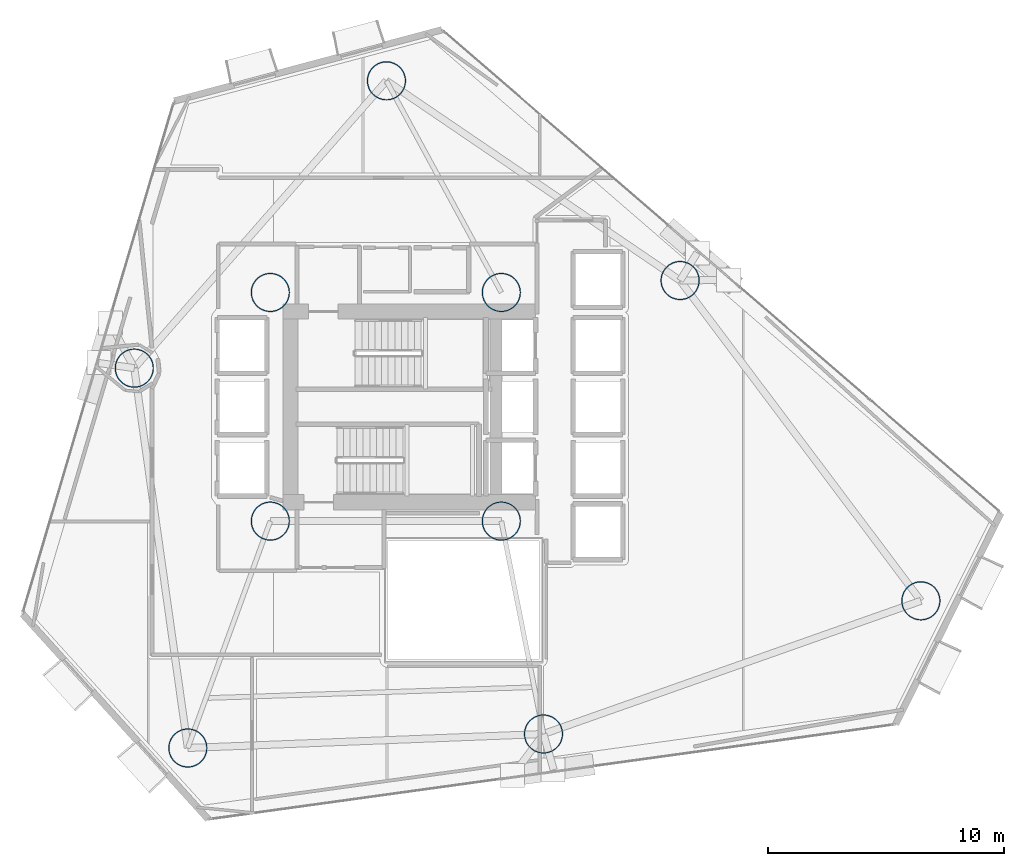
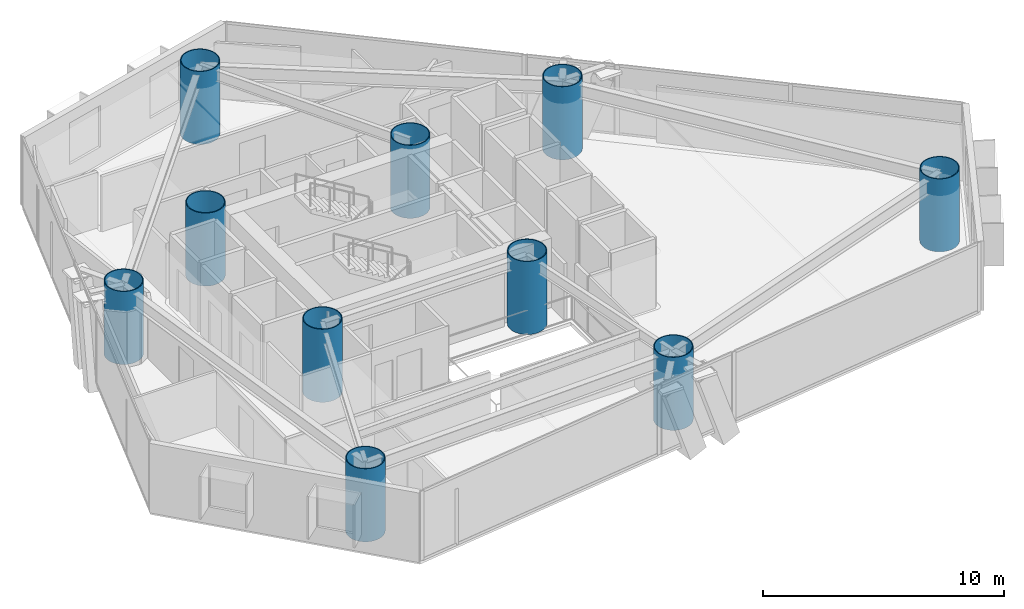
# One storey, part 1 of 23: 10 columns.
"""IFC4 building model written with IfcOpenShell, lengths in metres."""

from ifc_helpers import new_model, si_unit, direction, frame, origin, origin_2d, place, context, subcontext, project, spatial, hollow_circle, extrude, material, material_profile, profile_set, type_object, element, save


model = new_model("IFC4")

# Units and contexts
model_context = context("Model", 3, precision=1e-05, world=origin(), true_north=direction((0.0, 1.0)))
body_context = subcontext(model_context, "Body", "Model", "MODEL_VIEW")
ifc_project = project(units=[si_unit("LENGTHUNIT", "METRE"), si_unit("AREAUNIT", "SQUARE_METRE"), si_unit("VOLUMEUNIT", "CUBIC_METRE"), si_unit("PLANEANGLEUNIT", "RADIAN"), si_unit("MASSUNIT", "GRAM", prefix="KILO")], contexts=[model_context])

# Site, building, storey
site_placement = place(None, origin())
site = spatial("IfcSite", under=ifc_project, at=site_placement, CompositionType="ELEMENT")
building_placement = place(site_placement, origin())
building = spatial("IfcBuilding", under=site, at=building_placement, Name="Qianvela Tower", CompositionType="ELEMENT")
storey_placement = place(building_placement, frame((0.0, 0.0, 74.699951171875)))
storey = spatial("IfcBuildingStorey", under=building, at=storey_placement, Name="L18", CompositionType="ELEMENT", Elevation=74.699951171875)

# Columns
ifc_material = material(Name="Steel Q420GJC", Category="steel")
ifc_material_profile = material_profile(ifc_material, hollow_circle(Radius=0.824951171875, WallThickness=0.0400390625, at=origin_2d()), Name="CFT-1650x40")
ifc_profile_set = profile_set([ifc_material_profile], Name="Steel Q420GJC")
column_type = type_object("IfcColumnType", Name="COL-CFT-1650x40", PredefinedType="COLUMN", material=ifc_profile_set)
for number, where, z_axis, x_axis, name in (
    (1, (28.60009765625, 33.550048828125, 0.0), (0.0, 0.0, 1.0), (1.0, 0.0, 0.0), "L18 Core Corner Mega-Column CC-NW"),
    (2, (28.60009765625, 23.85009765625, 0.0), (0.0, 0.0, 1.0), (1.0, 0.0, 0.0), "L18 Core Corner Mega-Column CC-SW"),
    (3, (38.39990234375, 33.550048828125, 0.0), (0.0, 0.0, 1.0), (1.0, 0.0, 0.0), "L18 Core Corner Mega-Column CC-NE"),
    (4, (38.39990234375, 23.85009765625, 0.0), (0.0, 0.0, 1.0), (1.0, 0.0, 0.0), "L18 Core Corner Mega-Column CC-SE"),
    (5, (56.198974609375, 20.468017578125, 0.0), (0.0, 0.0, 1.0), (1.0, 0.0, 0.0), "L18 Zone Z2 CFT Mega-Column C1"),
    (6, (45.98388671875, 34.056884765625, 0.0), (0.0, 0.0, 1.0), (1.0, 0.0, 0.0), "L18 Zone Z2 CFT Mega-Column C2"),
    (7, (33.52587890625, 42.529052734375, 0.0), (0.0, 0.0, 1.0), (1.0, 0.0, 0.0), "L18 Zone Z2 CFT Mega-Column C3"),
    (8, (22.8291015625, 30.340087890625, 0.0), (0.0, 0.0, 1.0), (1.0, 0.0, 0.0), "L18 Zone Z2 CFT Mega-Column C4"),
    (9, (25.10009765625, 14.22509765625, 0.0), (0.0, 0.0, 1.0), (1.0, 0.0, 0.0), "L18 Zone Z2 CFT Mega-Column C5"),
    (10, (40.18896484375, 14.819091796875, 0.0), (0.0, 0.0, 1.0), (1.0, 0.0, 0.0), "L18 Zone Z2 CFT Mega-Column C6"),
):
    element("IfcColumn", number, at=place(storey_placement, frame(where, z_axis=z_axis, x_axis=x_axis)), inside=storey, type_object=column_type, Name=name, PredefinedType="COLUMN", context=body_context, shape_type="SweptSolid", body=[
        extrude(hollow_circle(Radius=0.824951171875, WallThickness=0.0400390625, at=origin_2d()), origin(), (0.0, 0.0, 1.0), 3.699951171875),
    ])

save(model, "model.ifc")
